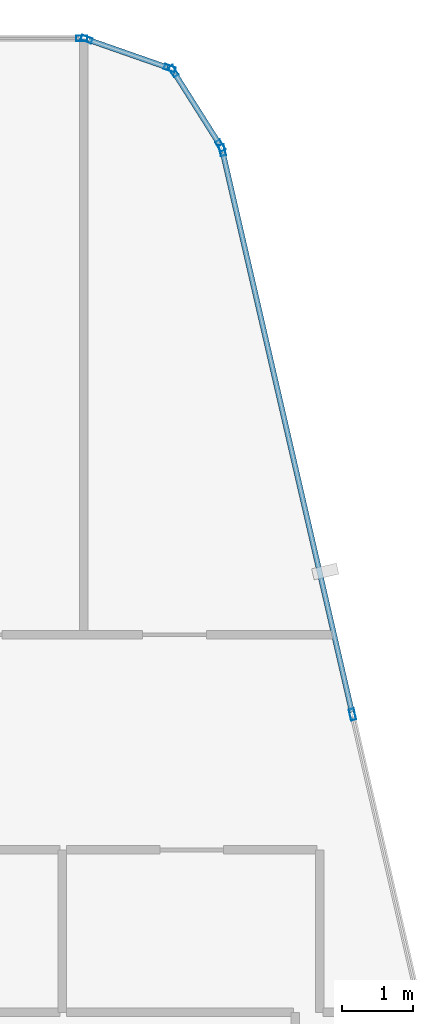
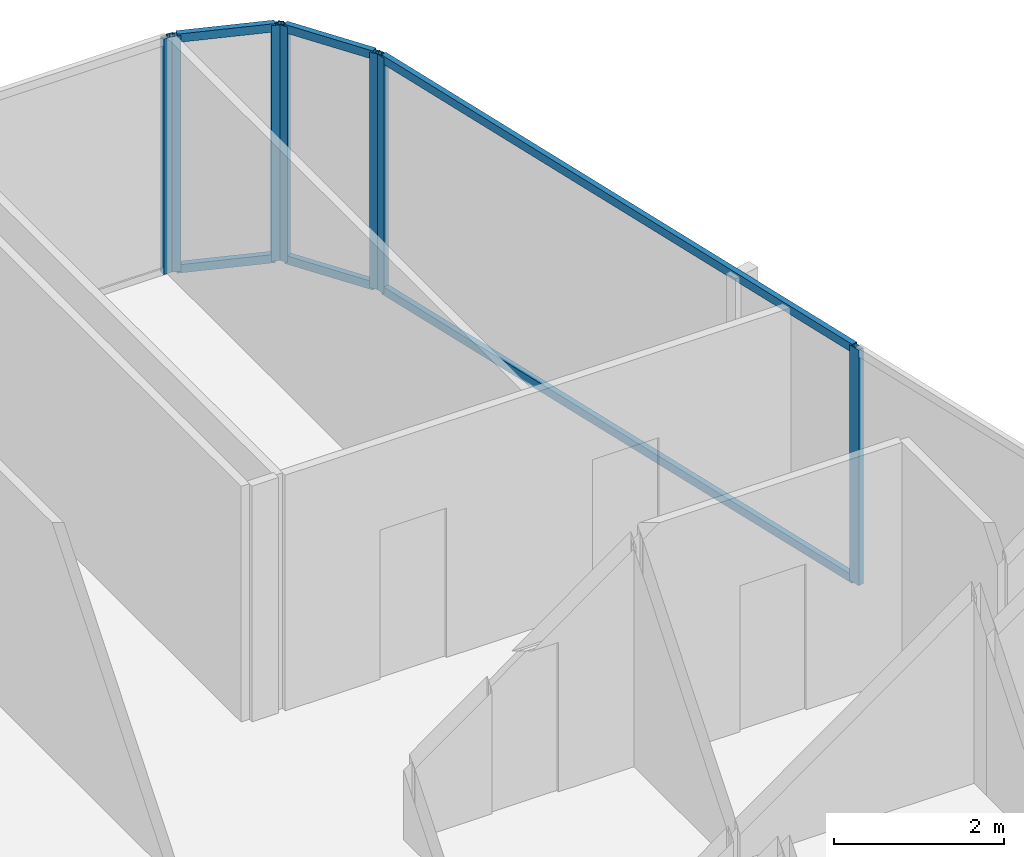
# One storey, part 19 of 28: 13 members, 4 elements without a shape of their own.
"""IFC4 building model written with IfcOpenShell, lengths in metres."""

from ifc_helpers import new_model, si_unit, direction, frame, origin, origin_2d, place, context, subcontext, project, spatial, hollow_rectangle, extrude, material, layer, layer_set, material_profile, profile_set, type_object, element, aggregate, save


model = new_model("IFC4")

# Units and contexts
model_context = context("Model", 3, precision=1e-05, world=origin(), true_north=direction((0.0, 1.0)))
body_context = subcontext(model_context, "Body", "Model", "MODEL_VIEW")
ifc_project = project(units=[si_unit("LENGTHUNIT", "METRE"), si_unit("AREAUNIT", "SQUARE_METRE"), si_unit("VOLUMEUNIT", "CUBIC_METRE"), si_unit("PLANEANGLEUNIT", "RADIAN"), si_unit("MASSUNIT", "GRAM", prefix="KILO")], contexts=[model_context])

# Site, building, storey
site_placement = place(None, origin())
site = spatial("IfcSite", under=ifc_project, at=site_placement, CompositionType="ELEMENT")
building_placement = place(site_placement, origin())
building = spatial("IfcBuilding", under=site, at=building_placement, Name="Keshet Zoharim Tower", CompositionType="ELEMENT")
storey_placement = place(building_placement, frame((0.0, 0.0, 303.60009765625)))
storey = spatial("IfcBuildingStorey", under=building, at=storey_placement, Name="L76", CompositionType="ELEMENT", Elevation=303.60009765625)

# Curtain wall, member
ifc_material = material(Name="Aluminium 6063-T6", Category="aluminium")
ifc_layer = layer(ifc_material, 0.260009765625)
ifc_layer_set = layer_set([ifc_layer], Name="Aluminium 6063-T6")
curtain_wall_type = type_object("IfcCurtainWallType", Name="CW-SYS-06", PredefinedType="NOTDEFINED", material=ifc_layer_set)
curtain_wall_1_placement = place(storey_placement, origin())
curtain_wall_1 = element("IfcCurtainWall", 1, at=curtain_wall_1_placement, inside=storey, type_object=curtain_wall_type, Name="L76 Unitised Curtain Wall 06 Part 5", PredefinedType="NOTDEFINED")
ifc_material_profile_1 = material_profile(ifc_material, hollow_rectangle(XDim=0.074951171875, YDim=0.159912109375, WallThickness=0.00390625, at=origin_2d()), Name="MUL-75x160")
ifc_profile_set_1 = profile_set([ifc_material_profile_1], Name="Aluminium 6063-T6")
member_type_1 = type_object("IfcMemberType", Name="CWM-M15", PredefinedType="MULLION", material=ifc_profile_set_1)
member_1_placement = place(storey_placement, frame((37.3740234375, 53.89990234375, 0.0), z_axis=(0.0, 0.0, 1.0), x_axis=(0.0, 1.0, 0.0)))
member_1 = element("IfcMember", 2, at=member_1_placement, type_object=member_type_1, Name="CW-06 mullion 2", PredefinedType="MULLION", context=body_context, shape_type="SweptSolid", body=[
    extrude(hollow_rectangle(XDim=0.074951171875, YDim=0.159912109375, WallThickness=0.00390625, at=origin_2d()), origin(), (0.0, 0.0, 1.0), 3.389892578125),
])
aggregate(curtain_wall_1, [member_1])

# Curtain wall, members
curtain_wall_2_placement = place(storey_placement, origin())
curtain_wall_2 = element("IfcCurtainWall", 3, at=curtain_wall_2_placement, inside=storey, type_object=curtain_wall_type, Name="L76 Unitised Curtain Wall 07", PredefinedType="NOTDEFINED")
member_2_placement = place(storey_placement, frame((37.442138671875, 53.888427734375, 0.0), z_axis=(0.0, 0.0, 1.0), x_axis=(0.329843743636, 0.944035542119, 0.0)))
member_2 = element("IfcMember", 4, at=member_2_placement, type_object=member_type_1, Name="CW-06 mullion 1", PredefinedType="MULLION", context=body_context, shape_type="SweptSolid", body=[
    extrude(hollow_rectangle(XDim=0.074951171875, YDim=0.159912109375, WallThickness=0.00390625, at=origin_2d()), origin(), (0.0, 0.0, 1.0), 3.389892578125),
])
member_3_placement = place(storey_placement, frame((38.620849609375, 53.4765625, 0.0), z_axis=(0.0, 0.0, 1.0), x_axis=(0.329843743636, 0.944035542119, 0.0)))
member_3 = element("IfcMember", 5, at=member_3_placement, type_object=member_type_1, Name="CW-06 mullion 2", PredefinedType="MULLION", context=body_context, shape_type="SweptSolid", body=[
    extrude(hollow_rectangle(XDim=0.074951171875, YDim=0.159912109375, WallThickness=0.00390625, at=origin_2d()), origin(), (0.0, 0.0, 1.0), 3.389892578125),
])

curtain_wall_3_placement = place(storey_placement, origin())
curtain_wall_3 = element("IfcCurtainWall", 6, at=curtain_wall_3_placement, inside=storey, type_object=curtain_wall_type, Name="L76 Unitised Curtain Wall 08", PredefinedType="NOTDEFINED")
member_4_placement = place(storey_placement, frame((38.672607421875, 53.435302734375, 0.0), z_axis=(0.0, 0.0, 1.0), x_axis=(0.845560976183, 0.533878858502, 0.0)))
member_4 = element("IfcMember", 7, at=member_4_placement, type_object=member_type_1, Name="CW-06 mullion 1", PredefinedType="MULLION", context=body_context, shape_type="SweptSolid", body=[
    extrude(hollow_rectangle(XDim=0.074951171875, YDim=0.159912109375, WallThickness=0.00390625, at=origin_2d()), origin(), (0.0, 0.0, 1.0), 3.389892578125),
])
member_5_placement = place(storey_placement, frame((39.33935546875, 52.379638671875, 0.0), z_axis=(0.0, 0.0, 1.0), x_axis=(0.845560976183, 0.533878858502, 0.0)))
member_5 = element("IfcMember", 8, at=member_5_placement, type_object=member_type_1, Name="CW-06 mullion 2", PredefinedType="MULLION", context=body_context, shape_type="SweptSolid", body=[
    extrude(hollow_rectangle(XDim=0.074951171875, YDim=0.159912109375, WallThickness=0.00390625, at=origin_2d()), origin(), (0.0, 0.0, 1.0), 3.389892578125),
])

curtain_wall_4_placement = place(storey_placement, origin())
curtain_wall_4 = element("IfcCurtainWall", 9, at=curtain_wall_4_placement, inside=storey, type_object=curtain_wall_type, Name="L76 Unitised Curtain Wall 09", PredefinedType="NOTDEFINED")
member_6_placement = place(storey_placement, frame((39.365966796875, 52.31591796875, 0.0), z_axis=(0.0, 0.0, 1.0), x_axis=(0.974398012932, 0.224829963294, 0.0)))
member_6 = element("IfcMember", 10, at=member_6_placement, type_object=member_type_1, Name="CW-06 mullion 1", PredefinedType="MULLION", context=body_context, shape_type="SweptSolid", body=[
    extrude(hollow_rectangle(XDim=0.074951171875, YDim=0.159912109375, WallThickness=0.00390625, at=origin_2d()), origin(), (0.0, 0.0, 1.0), 3.389892578125),
])
member_7_placement = place(storey_placement, frame((41.210693359375, 44.320556640625, 0.0), z_axis=(0.0, 0.0, 1.0), x_axis=(0.974398012932, 0.224829963294, 0.0)))
member_7 = element("IfcMember", 11, at=member_7_placement, type_object=member_type_1, Name="CW-06 mullion 2", PredefinedType="MULLION", context=body_context, shape_type="SweptSolid", body=[
    extrude(hollow_rectangle(XDim=0.074951171875, YDim=0.159912109375, WallThickness=0.00390625, at=origin_2d()), origin(), (0.0, 0.0, 1.0), 3.389892578125),
])

# Member
ifc_material_profile_2 = material_profile(ifc_material, hollow_rectangle(XDim=0.074951171875, YDim=0.1201171875, WallThickness=0.00390625, at=origin_2d()), Name="TRN-75x120")
ifc_profile_set_2 = profile_set([ifc_material_profile_2], Name="Aluminium 6063-T6")
member_type_2 = type_object("IfcMemberType", Name="CWT-T12", PredefinedType="USERDEFINED", material=ifc_profile_set_2)
member_8_placement = place(storey_placement, frame((37.47509765625, 53.876953125, 0.034912109375), z_axis=(0.944006789648, -0.329926023675, 0.0), x_axis=(0.329926023675, 0.944006789648, 0.0)))
member_8 = element("IfcMember", 12, at=member_8_placement, type_object=member_type_2, Name="CW-06 transom 1.1", ObjectType="TRANSOM", PredefinedType="USERDEFINED", context=body_context, shape_type="SweptSolid", body=[
    extrude(hollow_rectangle(XDim=0.074951171875, YDim=0.1201171875, WallThickness=0.00390625, at=origin_2d()), origin(), (0.0, 0.0, 1.0), 1.1787109375),
])

member_9_placement = place(storey_placement, frame((37.47509765625, 53.876953125, 3.35498046875), z_axis=(0.944006789648, -0.329926023675, 0.0), x_axis=(0.329926023675, 0.944006789648, 0.0)))
member_9 = element("IfcMember", 13, at=member_9_placement, type_object=member_type_2, Name="CW-06 transom 1.2", ObjectType="TRANSOM", PredefinedType="USERDEFINED", context=body_context, shape_type="SweptSolid", body=[
    extrude(hollow_rectangle(XDim=0.074951171875, YDim=0.1201171875, WallThickness=0.00390625, at=origin_2d()), origin(), (0.0, 0.0, 1.0), 1.1787109375),
])

aggregate(curtain_wall_2, [member_2, member_3, member_8, member_9])

member_10_placement = place(storey_placement, frame((38.69140625, 53.40576171875, 0.034912109375), z_axis=(0.53382931122, -0.845592257819, 0.0), x_axis=(0.845592257819, 0.53382931122, 0.0)))
member_10 = element("IfcMember", 14, at=member_10_placement, type_object=member_type_2, Name="CW-06 transom 1.1", ObjectType="TRANSOM", PredefinedType="USERDEFINED", context=body_context, shape_type="SweptSolid", body=[
    extrude(hollow_rectangle(XDim=0.074951171875, YDim=0.1201171875, WallThickness=0.00390625, at=origin_2d()), origin(), (0.0, 0.0, 1.0), 1.178466796875),
])

member_11_placement = place(storey_placement, frame((38.69140625, 53.40576171875, 3.35498046875), z_axis=(0.53382931122, -0.845592257819, 0.0), x_axis=(0.845592257819, 0.53382931122, 0.0)))
member_11 = element("IfcMember", 15, at=member_11_placement, type_object=member_type_2, Name="CW-06 transom 1.2", ObjectType="TRANSOM", PredefinedType="USERDEFINED", context=body_context, shape_type="SweptSolid", body=[
    extrude(hollow_rectangle(XDim=0.074951171875, YDim=0.1201171875, WallThickness=0.00390625, at=origin_2d()), origin(), (0.0, 0.0, 1.0), 1.178466796875),
])

aggregate(curtain_wall_3, [member_4, member_5, member_10, member_11])

member_12_placement = place(storey_placement, frame((39.373779296875, 52.28173828125, 0.034912109375), z_axis=(0.224835397421, -0.97439675906, 0.0), x_axis=(0.97439675906, 0.224835397421, 0.0)))
member_12 = element("IfcMember", 16, at=member_12_placement, type_object=member_type_2, Name="CW-06 transom 1.1", ObjectType="TRANSOM", PredefinedType="USERDEFINED", context=body_context, shape_type="SweptSolid", body=[
    extrude(hollow_rectangle(XDim=0.074951171875, YDim=0.1201171875, WallThickness=0.00390625, at=origin_2d()), origin(), (0.0, 0.0, 1.0), 8.13525390625),
])

member_13_placement = place(storey_placement, frame((39.373779296875, 52.28173828125, 3.35498046875), z_axis=(0.224835397421, -0.97439675906, 0.0), x_axis=(0.97439675906, 0.224835397421, 0.0)))
member_13 = element("IfcMember", 17, at=member_13_placement, type_object=member_type_2, Name="CW-06 transom 1.2", ObjectType="TRANSOM", PredefinedType="USERDEFINED", context=body_context, shape_type="SweptSolid", body=[
    extrude(hollow_rectangle(XDim=0.074951171875, YDim=0.1201171875, WallThickness=0.00390625, at=origin_2d()), origin(), (0.0, 0.0, 1.0), 8.13525390625),
])

aggregate(curtain_wall_4, [member_6, member_7, member_12, member_13])

save(model, "model.ifc")
